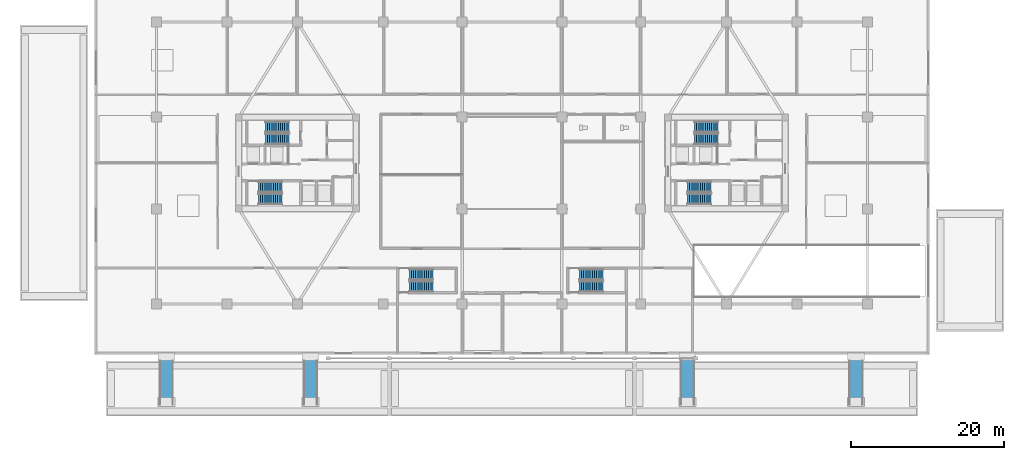
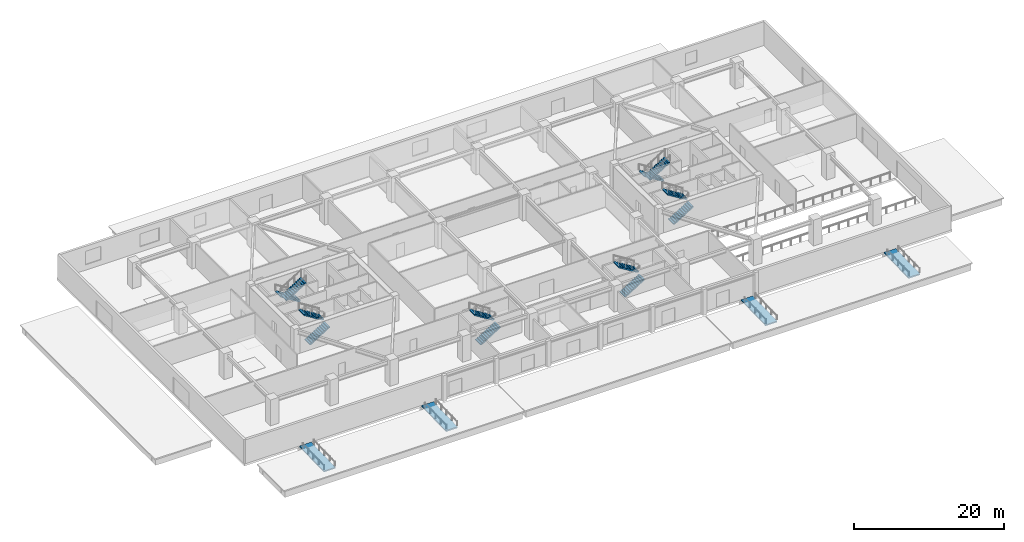
# One storey, part 12 of 22: 12 stair flights, 4 ramp flights, 10 elements without a shape of their own.
"""IFC4 building model written with IfcOpenShell, lengths in metres."""

from ifc_helpers import new_model, si_unit, direction, frame, origin, place, context, subcontext, project, spatial, polyline, outline, extrude, material, layer, layer_set, type_object, element, aggregate, save


model = new_model("IFC4")

# Units and contexts
model_context = context("Model", 3, precision=1e-05, world=origin(), true_north=direction((0.0, 1.0)))
body_context = subcontext(model_context, "Body", "Model", "MODEL_VIEW")
ifc_project = project(units=[si_unit("LENGTHUNIT", "METRE"), si_unit("AREAUNIT", "SQUARE_METRE"), si_unit("VOLUMEUNIT", "CUBIC_METRE"), si_unit("PLANEANGLEUNIT", "RADIAN"), si_unit("MASSUNIT", "GRAM", prefix="KILO")], contexts=[model_context])

# Site, building, storey
site_placement = place(None, origin())
site = spatial("IfcSite", under=ifc_project, at=site_placement, CompositionType="ELEMENT")
building_placement = place(site_placement, origin())
building = spatial("IfcBuilding", under=site, at=building_placement, Name="Norrkilde Senior Care Towers", CompositionType="ELEMENT")
storey_placement = place(building_placement, origin())
storey = spatial("IfcBuildingStorey", under=building, at=storey_placement, Name="L00", CompositionType="ELEMENT", Elevation=0.0)

# Stair, stair flights
ifc_material = material(Name="Concrete C45/55", Category="concrete")
stair_type = type_object("IfcStairType", Name="Core Protected Dogleg Stair Podium 4200", PredefinedType="HALF_TURN_STAIR", material=ifc_material)
stair_1_placement = place(storey_placement, origin())
stair_1 = element("IfcStair", 1, at=stair_1_placement, inside=storey, type_object=stair_type, Name="L00 Protected Core Stair W1", PredefinedType="HALF_TURN_STAIR")
stair_flight_type = type_object("IfcStairFlightType", Name="Core Protected Dogleg Stair Podium 4200 Flight", PredefinedType="STRAIGHT", material=ifc_material)
stair_flight_1_placement = place(storey_placement, frame((-29.10009765625, 4.699951171875, 0.0), z_axis=(0.0, 0.0, 1.0), x_axis=(-1.0, 0.0, 0.0)))
stair_flight_1 = element("IfcStairFlight", 2, at=stair_flight_1_placement, type_object=stair_flight_type, Name="ST-W1 flight 1", NumberOfRisers=12, NumberOfTreads=11, PredefinedType="STRAIGHT", RiserHeight=0.175, TreadLength=0.28, context=body_context, shape_type="SweptSolid", body=[
    extrude(outline(polyline([(0.0, 0.0), (0.0, 0.175048828125), (0.280029296875, 0.175048828125), (0.280029296875, 0.35009765625), (0.56005859375, 0.35009765625), (0.56005859375, 0.52490234375), (0.840087890625, 0.52490234375), (0.840087890625, 0.699951171875), (1.1201171875, 0.699951171875), (1.1201171875, 0.875), (1.39990234375, 0.875), (1.39990234375, 1.050048828125), (1.679931640625, 1.050048828125), (1.679931640625, 1.22509765625), (1.9599609375, 1.22509765625), (1.9599609375, 1.39990234375), (2.239990234375, 1.39990234375), (2.239990234375, 1.574951171875), (2.52001953125, 1.574951171875), (2.52001953125, 1.75), (2.800048828125, 1.75), (2.800048828125, 1.925048828125), (3.080078125, 1.925048828125), (3.080078125, 2.10009765625), (3.080078125, 1.748291015625), (0.28271484375, 0.0), (0.0, 0.0)])), frame((0.0, 0.699951171875, 0.0), z_axis=(0.0, -1.0, 0.0), x_axis=(1.0, 0.0, 0.0)), (0.0, 0.0, 1.0), 1.39990234375),
])
stair_flight_2_placement = place(storey_placement, frame((-32.179931640625, 3.14990234375, 2.10009765625), z_axis=(0.0, 0.0, 1.0), x_axis=(1.0, 0.0, 0.0)))
stair_flight_2 = element("IfcStairFlight", 3, at=stair_flight_2_placement, type_object=stair_flight_type, Name="ST-W1 flight 2", NumberOfRisers=12, NumberOfTreads=11, PredefinedType="STRAIGHT", RiserHeight=0.175, TreadLength=0.28, context=body_context, shape_type="SweptSolid", body=[
    extrude(outline(polyline([(0.0, 0.0), (0.0, 0.175048828125), (0.280029296875, 0.175048828125), (0.280029296875, 0.35009765625), (0.56005859375, 0.35009765625), (0.56005859375, 0.52490234375), (0.840087890625, 0.52490234375), (0.840087890625, 0.699951171875), (1.1201171875, 0.699951171875), (1.1201171875, 0.875), (1.39990234375, 0.875), (1.39990234375, 1.050048828125), (1.679931640625, 1.050048828125), (1.679931640625, 1.22509765625), (1.9599609375, 1.22509765625), (1.9599609375, 1.39990234375), (2.239990234375, 1.39990234375), (2.239990234375, 1.574951171875), (2.52001953125, 1.574951171875), (2.52001953125, 1.75), (2.800048828125, 1.75), (2.800048828125, 1.925048828125), (3.080078125, 1.925048828125), (3.080078125, 2.10009765625), (3.080078125, 1.748291015625), (0.28271484375, 0.0), (0.0, 0.0)])), frame((0.0, 0.699951171875, 0.0), z_axis=(0.0, -1.0, 0.0), x_axis=(1.0, 0.0, 0.0)), (0.0, 0.0, 1.0), 1.39990234375),
])
aggregate(stair_1, [stair_flight_1, stair_flight_2])

stair_2_placement = place(storey_placement, origin())
stair_2 = element("IfcStair", 4, at=stair_2_placement, inside=storey, type_object=stair_type, Name="L00 Protected Core Stair W2", PredefinedType="HALF_TURN_STAIR")
stair_flight_3_placement = place(storey_placement, frame((-33.10009765625, -4.699951171875, 0.0), z_axis=(0.0, 0.0, 1.0), x_axis=(1.0, 0.0, 0.0)))
stair_flight_3 = element("IfcStairFlight", 5, at=stair_flight_3_placement, type_object=stair_flight_type, Name="ST-W2 flight 1", NumberOfRisers=12, NumberOfTreads=11, PredefinedType="STRAIGHT", RiserHeight=0.175, TreadLength=0.28, context=body_context, shape_type="SweptSolid", body=[
    extrude(outline(polyline([(0.0, 0.0), (0.0, 0.175048828125), (0.280029296875, 0.175048828125), (0.280029296875, 0.35009765625), (0.56005859375, 0.35009765625), (0.56005859375, 0.52490234375), (0.840087890625, 0.52490234375), (0.840087890625, 0.699951171875), (1.1201171875, 0.699951171875), (1.1201171875, 0.875), (1.39990234375, 0.875), (1.39990234375, 1.050048828125), (1.679931640625, 1.050048828125), (1.679931640625, 1.22509765625), (1.9599609375, 1.22509765625), (1.9599609375, 1.39990234375), (2.239990234375, 1.39990234375), (2.239990234375, 1.574951171875), (2.52001953125, 1.574951171875), (2.52001953125, 1.75), (2.800048828125, 1.75), (2.800048828125, 1.925048828125), (3.080078125, 1.925048828125), (3.080078125, 2.10009765625), (3.080078125, 1.748291015625), (0.28271484375, 0.0), (0.0, 0.0)])), frame((0.0, 0.699951171875, 0.0), z_axis=(0.0, -1.0, 0.0), x_axis=(1.0, 0.0, 0.0)), (0.0, 0.0, 1.0), 1.39990234375),
])
stair_flight_4_placement = place(storey_placement, frame((-30.02001953125, -3.14990234375, 2.10009765625), z_axis=(0.0, 0.0, 1.0), x_axis=(-1.0, 0.0, 0.0)))
stair_flight_4 = element("IfcStairFlight", 6, at=stair_flight_4_placement, type_object=stair_flight_type, Name="ST-W2 flight 2", NumberOfRisers=12, NumberOfTreads=11, PredefinedType="STRAIGHT", RiserHeight=0.175, TreadLength=0.28, context=body_context, shape_type="SweptSolid", body=[
    extrude(outline(polyline([(0.0, 0.0), (0.0, 0.175048828125), (0.280029296875, 0.175048828125), (0.280029296875, 0.35009765625), (0.56005859375, 0.35009765625), (0.56005859375, 0.52490234375), (0.840087890625, 0.52490234375), (0.840087890625, 0.699951171875), (1.1201171875, 0.699951171875), (1.1201171875, 0.875), (1.39990234375, 0.875), (1.39990234375, 1.050048828125), (1.679931640625, 1.050048828125), (1.679931640625, 1.22509765625), (1.9599609375, 1.22509765625), (1.9599609375, 1.39990234375), (2.239990234375, 1.39990234375), (2.239990234375, 1.574951171875), (2.52001953125, 1.574951171875), (2.52001953125, 1.75), (2.800048828125, 1.75), (2.800048828125, 1.925048828125), (3.080078125, 1.925048828125), (3.080078125, 2.10009765625), (3.080078125, 1.748291015625), (0.28271484375, 0.0), (0.0, 0.0)])), frame((0.0, 0.699951171875, 0.0), z_axis=(0.0, -1.0, 0.0), x_axis=(1.0, 0.0, 0.0)), (0.0, 0.0, 1.0), 1.39990234375),
])
aggregate(stair_2, [stair_flight_3, stair_flight_4])

stair_3_placement = place(storey_placement, origin())
stair_3 = element("IfcStair", 7, at=stair_3_placement, inside=storey, type_object=stair_type, Name="L00 Protected Core Stair E1", PredefinedType="HALF_TURN_STAIR")
stair_flight_5_placement = place(storey_placement, frame((26.89990234375, 4.699951171875, 0.0), z_axis=(0.0, 0.0, 1.0), x_axis=(-1.0, 0.0, 0.0)))
stair_flight_5 = element("IfcStairFlight", 8, at=stair_flight_5_placement, type_object=stair_flight_type, Name="ST-E1 flight 1", NumberOfRisers=12, NumberOfTreads=11, PredefinedType="STRAIGHT", RiserHeight=0.175, TreadLength=0.28, context=body_context, shape_type="SweptSolid", body=[
    extrude(outline(polyline([(0.0, 0.0), (0.0, 0.175048828125), (0.280029296875, 0.175048828125), (0.280029296875, 0.35009765625), (0.56005859375, 0.35009765625), (0.56005859375, 0.52490234375), (0.840087890625, 0.52490234375), (0.840087890625, 0.699951171875), (1.1201171875, 0.699951171875), (1.1201171875, 0.875), (1.39990234375, 0.875), (1.39990234375, 1.050048828125), (1.679931640625, 1.050048828125), (1.679931640625, 1.22509765625), (1.9599609375, 1.22509765625), (1.9599609375, 1.39990234375), (2.239990234375, 1.39990234375), (2.239990234375, 1.574951171875), (2.52001953125, 1.574951171875), (2.52001953125, 1.75), (2.800048828125, 1.75), (2.800048828125, 1.925048828125), (3.080078125, 1.925048828125), (3.080078125, 2.10009765625), (3.080078125, 1.748291015625), (0.28271484375, 0.0), (0.0, 0.0)])), frame((0.0, 0.699951171875, 0.0), z_axis=(0.0, -1.0, 0.0), x_axis=(1.0, 0.0, 0.0)), (0.0, 0.0, 1.0), 1.39990234375),
])
stair_flight_6_placement = place(storey_placement, frame((23.820068359375, 3.14990234375, 2.10009765625), z_axis=(0.0, 0.0, 1.0), x_axis=(1.0, 0.0, 0.0)))
stair_flight_6 = element("IfcStairFlight", 9, at=stair_flight_6_placement, type_object=stair_flight_type, Name="ST-E1 flight 2", NumberOfRisers=12, NumberOfTreads=11, PredefinedType="STRAIGHT", RiserHeight=0.175, TreadLength=0.28, context=body_context, shape_type="SweptSolid", body=[
    extrude(outline(polyline([(0.0, 0.0), (0.0, 0.175048828125), (0.280029296875, 0.175048828125), (0.280029296875, 0.35009765625), (0.56005859375, 0.35009765625), (0.56005859375, 0.52490234375), (0.840087890625, 0.52490234375), (0.840087890625, 0.699951171875), (1.1201171875, 0.699951171875), (1.1201171875, 0.875), (1.39990234375, 0.875), (1.39990234375, 1.050048828125), (1.679931640625, 1.050048828125), (1.679931640625, 1.22509765625), (1.9599609375, 1.22509765625), (1.9599609375, 1.39990234375), (2.239990234375, 1.39990234375), (2.239990234375, 1.574951171875), (2.52001953125, 1.574951171875), (2.52001953125, 1.75), (2.800048828125, 1.75), (2.800048828125, 1.925048828125), (3.080078125, 1.925048828125), (3.080078125, 2.10009765625), (3.080078125, 1.748291015625), (0.28271484375, 0.0), (0.0, 0.0)])), frame((0.0, 0.699951171875, 0.0), z_axis=(0.0, -1.0, 0.0), x_axis=(1.0, 0.0, 0.0)), (0.0, 0.0, 1.0), 1.39990234375),
])
aggregate(stair_3, [stair_flight_5, stair_flight_6])

stair_4_placement = place(storey_placement, origin())
stair_4 = element("IfcStair", 10, at=stair_4_placement, inside=storey, type_object=stair_type, Name="L00 Protected Core Stair E2", PredefinedType="HALF_TURN_STAIR")
stair_flight_7_placement = place(storey_placement, frame((22.89990234375, -4.699951171875, 0.0), z_axis=(0.0, 0.0, 1.0), x_axis=(1.0, 0.0, 0.0)))
stair_flight_7 = element("IfcStairFlight", 11, at=stair_flight_7_placement, type_object=stair_flight_type, Name="ST-E2 flight 1", NumberOfRisers=12, NumberOfTreads=11, PredefinedType="STRAIGHT", RiserHeight=0.175, TreadLength=0.28, context=body_context, shape_type="SweptSolid", body=[
    extrude(outline(polyline([(0.0, 0.0), (0.0, 0.175048828125), (0.280029296875, 0.175048828125), (0.280029296875, 0.35009765625), (0.56005859375, 0.35009765625), (0.56005859375, 0.52490234375), (0.840087890625, 0.52490234375), (0.840087890625, 0.699951171875), (1.1201171875, 0.699951171875), (1.1201171875, 0.875), (1.39990234375, 0.875), (1.39990234375, 1.050048828125), (1.679931640625, 1.050048828125), (1.679931640625, 1.22509765625), (1.9599609375, 1.22509765625), (1.9599609375, 1.39990234375), (2.239990234375, 1.39990234375), (2.239990234375, 1.574951171875), (2.52001953125, 1.574951171875), (2.52001953125, 1.75), (2.800048828125, 1.75), (2.800048828125, 1.925048828125), (3.080078125, 1.925048828125), (3.080078125, 2.10009765625), (3.080078125, 1.748291015625), (0.28271484375, 0.0), (0.0, 0.0)])), frame((0.0, 0.699951171875, 0.0), z_axis=(0.0, -1.0, 0.0), x_axis=(1.0, 0.0, 0.0)), (0.0, 0.0, 1.0), 1.39990234375),
])
stair_flight_8_placement = place(storey_placement, frame((25.97998046875, -3.14990234375, 2.10009765625), z_axis=(0.0, 0.0, 1.0), x_axis=(-1.0, 0.0, 0.0)))
stair_flight_8 = element("IfcStairFlight", 12, at=stair_flight_8_placement, type_object=stair_flight_type, Name="ST-E2 flight 2", NumberOfRisers=12, NumberOfTreads=11, PredefinedType="STRAIGHT", RiserHeight=0.175, TreadLength=0.28, context=body_context, shape_type="SweptSolid", body=[
    extrude(outline(polyline([(0.0, 0.0), (0.0, 0.175048828125), (0.280029296875, 0.175048828125), (0.280029296875, 0.35009765625), (0.56005859375, 0.35009765625), (0.56005859375, 0.52490234375), (0.840087890625, 0.52490234375), (0.840087890625, 0.699951171875), (1.1201171875, 0.699951171875), (1.1201171875, 0.875), (1.39990234375, 0.875), (1.39990234375, 1.050048828125), (1.679931640625, 1.050048828125), (1.679931640625, 1.22509765625), (1.9599609375, 1.22509765625), (1.9599609375, 1.39990234375), (2.239990234375, 1.39990234375), (2.239990234375, 1.574951171875), (2.52001953125, 1.574951171875), (2.52001953125, 1.75), (2.800048828125, 1.75), (2.800048828125, 1.925048828125), (3.080078125, 1.925048828125), (3.080078125, 2.10009765625), (3.080078125, 1.748291015625), (0.28271484375, 0.0), (0.0, 0.0)])), frame((0.0, 0.699951171875, 0.0), z_axis=(0.0, -1.0, 0.0), x_axis=(1.0, 0.0, 0.0)), (0.0, 0.0, 1.0), 1.39990234375),
])
aggregate(stair_4, [stair_flight_7, stair_flight_8])

stair_5_placement = place(storey_placement, origin())
stair_5 = element("IfcStair", 13, at=stair_5_placement, inside=storey, type_object=stair_type, Name="L00 Podium Clinic Exit Stair P1", PredefinedType="HALF_TURN_STAIR")
stair_flight_9_placement = place(storey_placement, frame((-13.39990234375, -16.10009765625, 0.0), z_axis=(0.0, 0.0, 1.0), x_axis=(1.0, 0.0, 0.0)))
stair_flight_9 = element("IfcStairFlight", 14, at=stair_flight_9_placement, type_object=stair_flight_type, Name="ST-P1 flight 1", NumberOfRisers=12, NumberOfTreads=11, PredefinedType="STRAIGHT", RiserHeight=0.175, TreadLength=0.28, context=body_context, shape_type="SweptSolid", body=[
    extrude(outline(polyline([(0.0, 0.0), (0.0, 0.175048828125), (0.280029296875, 0.175048828125), (0.280029296875, 0.35009765625), (0.56005859375, 0.35009765625), (0.56005859375, 0.52490234375), (0.840087890625, 0.52490234375), (0.840087890625, 0.699951171875), (1.1201171875, 0.699951171875), (1.1201171875, 0.875), (1.39990234375, 0.875), (1.39990234375, 1.050048828125), (1.679931640625, 1.050048828125), (1.679931640625, 1.22509765625), (1.9599609375, 1.22509765625), (1.9599609375, 1.39990234375), (2.239990234375, 1.39990234375), (2.239990234375, 1.574951171875), (2.52001953125, 1.574951171875), (2.52001953125, 1.75), (2.800048828125, 1.75), (2.800048828125, 1.925048828125), (3.080078125, 1.925048828125), (3.080078125, 2.10009765625), (3.080078125, 1.748291015625), (0.28271484375, 0.0), (0.0, 0.0)])), frame((0.0, 0.699951171875, 0.0), z_axis=(0.0, -1.0, 0.0), x_axis=(1.0, 0.0, 0.0)), (0.0, 0.0, 1.0), 1.39990234375),
])
stair_flight_10_placement = place(storey_placement, frame((-10.320068359375, -14.550048828125, 2.10009765625), z_axis=(0.0, 0.0, 1.0), x_axis=(-1.0, 0.0, 0.0)))
stair_flight_10 = element("IfcStairFlight", 15, at=stair_flight_10_placement, type_object=stair_flight_type, Name="ST-P1 flight 2", NumberOfRisers=12, NumberOfTreads=11, PredefinedType="STRAIGHT", RiserHeight=0.175, TreadLength=0.28, context=body_context, shape_type="SweptSolid", body=[
    extrude(outline(polyline([(0.0, 0.0), (0.0, 0.175048828125), (0.280029296875, 0.175048828125), (0.280029296875, 0.35009765625), (0.56005859375, 0.35009765625), (0.56005859375, 0.52490234375), (0.840087890625, 0.52490234375), (0.840087890625, 0.699951171875), (1.1201171875, 0.699951171875), (1.1201171875, 0.875), (1.39990234375, 0.875), (1.39990234375, 1.050048828125), (1.679931640625, 1.050048828125), (1.679931640625, 1.22509765625), (1.9599609375, 1.22509765625), (1.9599609375, 1.39990234375), (2.239990234375, 1.39990234375), (2.239990234375, 1.574951171875), (2.52001953125, 1.574951171875), (2.52001953125, 1.75), (2.800048828125, 1.75), (2.800048828125, 1.925048828125), (3.080078125, 1.925048828125), (3.080078125, 2.10009765625), (3.080078125, 1.748291015625), (0.28271484375, 0.0), (0.0, 0.0)])), frame((0.0, 0.699951171875, 0.0), z_axis=(0.0, -1.0, 0.0), x_axis=(1.0, 0.0, 0.0)), (0.0, 0.0, 1.0), 1.39990234375),
])
aggregate(stair_5, [stair_flight_9, stair_flight_10])

stair_6_placement = place(storey_placement, origin())
stair_6 = element("IfcStair", 16, at=stair_6_placement, inside=storey, type_object=stair_type, Name="L00 Podium Clinic Exit Stair P2", PredefinedType="HALF_TURN_STAIR")
stair_flight_11_placement = place(storey_placement, frame((8.800048828125, -16.10009765625, 0.0), z_axis=(0.0, 0.0, 1.0), x_axis=(1.0, 0.0, 0.0)))
stair_flight_11 = element("IfcStairFlight", 17, at=stair_flight_11_placement, type_object=stair_flight_type, Name="ST-P2 flight 1", NumberOfRisers=12, NumberOfTreads=11, PredefinedType="STRAIGHT", RiserHeight=0.175, TreadLength=0.28, context=body_context, shape_type="SweptSolid", body=[
    extrude(outline(polyline([(0.0, 0.0), (0.0, 0.175048828125), (0.280029296875, 0.175048828125), (0.280029296875, 0.35009765625), (0.56005859375, 0.35009765625), (0.56005859375, 0.52490234375), (0.840087890625, 0.52490234375), (0.840087890625, 0.699951171875), (1.1201171875, 0.699951171875), (1.1201171875, 0.875), (1.39990234375, 0.875), (1.39990234375, 1.050048828125), (1.679931640625, 1.050048828125), (1.679931640625, 1.22509765625), (1.9599609375, 1.22509765625), (1.9599609375, 1.39990234375), (2.239990234375, 1.39990234375), (2.239990234375, 1.574951171875), (2.52001953125, 1.574951171875), (2.52001953125, 1.75), (2.800048828125, 1.75), (2.800048828125, 1.925048828125), (3.080078125, 1.925048828125), (3.080078125, 2.10009765625), (3.080078125, 1.748291015625), (0.28271484375, 0.0), (0.0, 0.0)])), frame((0.0, 0.699951171875, 0.0), z_axis=(0.0, -1.0, 0.0), x_axis=(1.0, 0.0, 0.0)), (0.0, 0.0, 1.0), 1.39990234375),
])
stair_flight_12_placement = place(storey_placement, frame((11.8798828125, -14.550048828125, 2.10009765625), z_axis=(0.0, 0.0, 1.0), x_axis=(-1.0, 0.0, 0.0)))
stair_flight_12 = element("IfcStairFlight", 18, at=stair_flight_12_placement, type_object=stair_flight_type, Name="ST-P2 flight 2", NumberOfRisers=12, NumberOfTreads=11, PredefinedType="STRAIGHT", RiserHeight=0.175, TreadLength=0.28, context=body_context, shape_type="SweptSolid", body=[
    extrude(outline(polyline([(0.0, 0.0), (0.0, 0.175048828125), (0.280029296875, 0.175048828125), (0.280029296875, 0.35009765625), (0.56005859375, 0.35009765625), (0.56005859375, 0.52490234375), (0.840087890625, 0.52490234375), (0.840087890625, 0.699951171875), (1.1201171875, 0.699951171875), (1.1201171875, 0.875), (1.39990234375, 0.875), (1.39990234375, 1.050048828125), (1.679931640625, 1.050048828125), (1.679931640625, 1.22509765625), (1.9599609375, 1.22509765625), (1.9599609375, 1.39990234375), (2.239990234375, 1.39990234375), (2.239990234375, 1.574951171875), (2.52001953125, 1.574951171875), (2.52001953125, 1.75), (2.800048828125, 1.75), (2.800048828125, 1.925048828125), (3.080078125, 1.925048828125), (3.080078125, 2.10009765625), (3.080078125, 1.748291015625), (0.28271484375, 0.0), (0.0, 0.0)])), frame((0.0, 0.699951171875, 0.0), z_axis=(0.0, -1.0, 0.0), x_axis=(1.0, 0.0, 0.0)), (0.0, 0.0, 1.0), 1.39990234375),
])
aggregate(stair_6, [stair_flight_11, stair_flight_12])

# Ramp, ramp flight
ramp_type = type_object("IfcRampType", Name="Accessible Therapy Garden Ramp 1:12", PredefinedType="STRAIGHT_RUN_RAMP", material=ifc_material)
ramp_1_placement = place(storey_placement, origin())
ramp_1 = element("IfcRamp", 19, at=ramp_1_placement, inside=storey, type_object=ramp_type, Name="L00 Barrier-Free Forecourt Access Ramp 1", PredefinedType="STRAIGHT_RUN_RAMP")
ifc_layer = layer(ifc_material, 0.219970703125)
ifc_layer_set = layer_set([ifc_layer], Name="Concrete C45/55")
ramp_flight_type = type_object("IfcRampFlightType", Name="Accessible Therapy Garden Ramp Flight", PredefinedType="STRAIGHT", material=ifc_layer_set)
ramp_flight_1_placement = place(storey_placement, frame((-46.0, -31.5, -0.159912109375), z_axis=(0.0, -0.024594421199, 0.999697511473), x_axis=(0.0, 0.999697511473, 0.024594421199)))
ramp_flight_1 = element("IfcRampFlight", 20, at=ramp_flight_1_placement, type_object=ramp_flight_type, Name="L00 Barrier-Free Forecourt Ramp Flight 1", PredefinedType="STRAIGHT", context=body_context, shape_type="SweptSolid", body=[
    extrude(outline(polyline([(0.0, 0.0), (6.501966770349166, 0.0), (6.501966770349166, -1.800048828125), (0.0, -1.800048828125), (0.0, 0.0)])), origin(), (0.0, 0.0, -1.0), 0.199951171875),
])
aggregate(ramp_1, [ramp_flight_1])

ramp_2_placement = place(storey_placement, origin())
ramp_2 = element("IfcRamp", 21, at=ramp_2_placement, inside=storey, type_object=ramp_type, Name="L00 Barrier-Free Forecourt Access Ramp 2", PredefinedType="STRAIGHT_RUN_RAMP")
ramp_flight_2_placement = place(storey_placement, frame((-27.199951171875, -31.5, -0.159912109375), z_axis=(0.0, -0.024594421199, 0.999697511473), x_axis=(0.0, 0.999697511473, 0.024594421199)))
ramp_flight_2 = element("IfcRampFlight", 22, at=ramp_flight_2_placement, type_object=ramp_flight_type, Name="L00 Barrier-Free Forecourt Ramp Flight 2", PredefinedType="STRAIGHT", context=body_context, shape_type="SweptSolid", body=[
    extrude(outline(polyline([(0.0, 0.0), (6.501966770349166, 0.0), (6.501966770349166, -1.800048828125), (0.0, -1.800048828125), (0.0, 0.0)])), origin(), (0.0, 0.0, -1.0), 0.199951171875),
])
aggregate(ramp_2, [ramp_flight_2])

ramp_3_placement = place(storey_placement, origin())
ramp_3 = element("IfcRamp", 23, at=ramp_3_placement, inside=storey, type_object=ramp_type, Name="L00 Barrier-Free Forecourt Access Ramp 3", PredefinedType="STRAIGHT_RUN_RAMP")
ramp_flight_3_placement = place(storey_placement, frame((22.0, -31.5, -0.159912109375), z_axis=(0.0, -0.024594421199, 0.999697511473), x_axis=(0.0, 0.999697511473, 0.024594421199)))
ramp_flight_3 = element("IfcRampFlight", 24, at=ramp_flight_3_placement, type_object=ramp_flight_type, Name="L00 Barrier-Free Forecourt Ramp Flight 3", PredefinedType="STRAIGHT", context=body_context, shape_type="SweptSolid", body=[
    extrude(outline(polyline([(0.0, 0.0), (6.501966770349166, 0.0), (6.501966770349166, -1.800048828125), (0.0, -1.800048828125), (0.0, 0.0)])), origin(), (0.0, 0.0, -1.0), 0.199951171875),
])
aggregate(ramp_3, [ramp_flight_3])

ramp_4_placement = place(storey_placement, origin())
ramp_4 = element("IfcRamp", 25, at=ramp_4_placement, inside=storey, type_object=ramp_type, Name="L00 Barrier-Free Forecourt Access Ramp 4", PredefinedType="STRAIGHT_RUN_RAMP")
ramp_flight_4_placement = place(storey_placement, frame((44.0, -31.5, -0.159912109375), z_axis=(0.0, -0.024594421199, 0.999697511473), x_axis=(0.0, 0.999697511473, 0.024594421199)))
ramp_flight_4 = element("IfcRampFlight", 26, at=ramp_flight_4_placement, type_object=ramp_flight_type, Name="L00 Barrier-Free Forecourt Ramp Flight 4", PredefinedType="STRAIGHT", context=body_context, shape_type="SweptSolid", body=[
    extrude(outline(polyline([(0.0, 0.0), (6.501966770349166, 0.0), (6.501966770349166, -1.800048828125), (0.0, -1.800048828125), (0.0, 0.0)])), origin(), (0.0, 0.0, -1.0), 0.199951171875),
])
aggregate(ramp_4, [ramp_flight_4])

save(model, "model.ifc")
